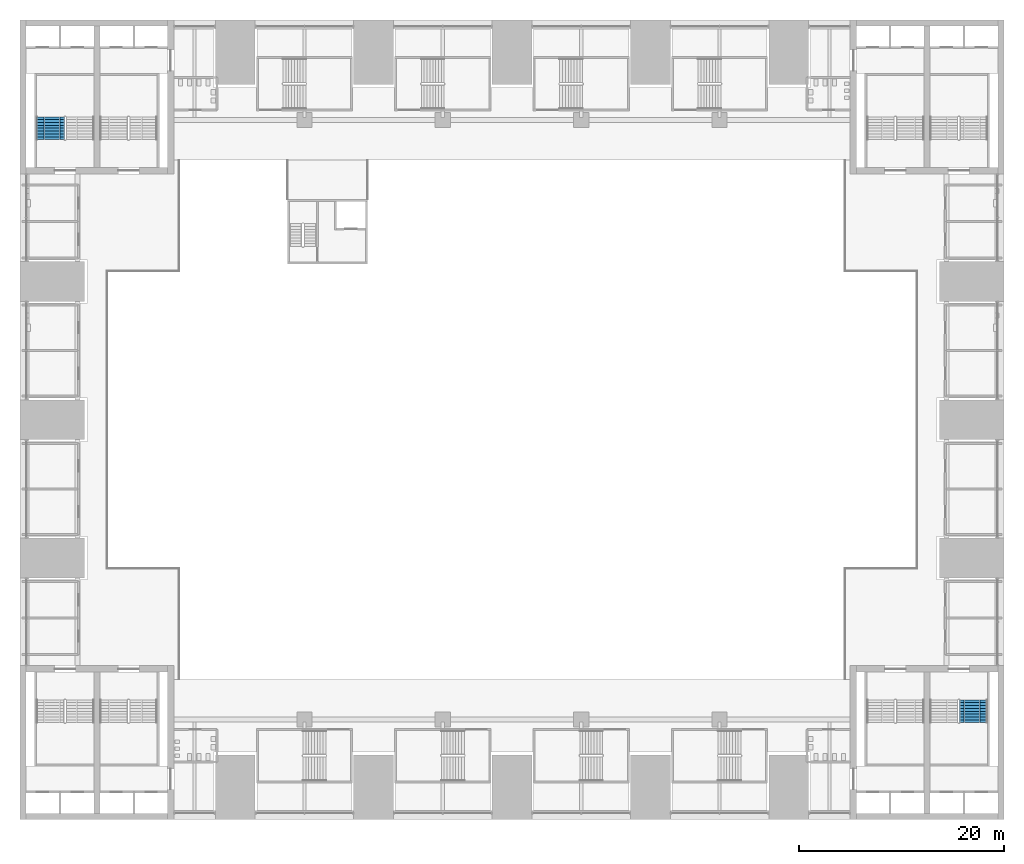
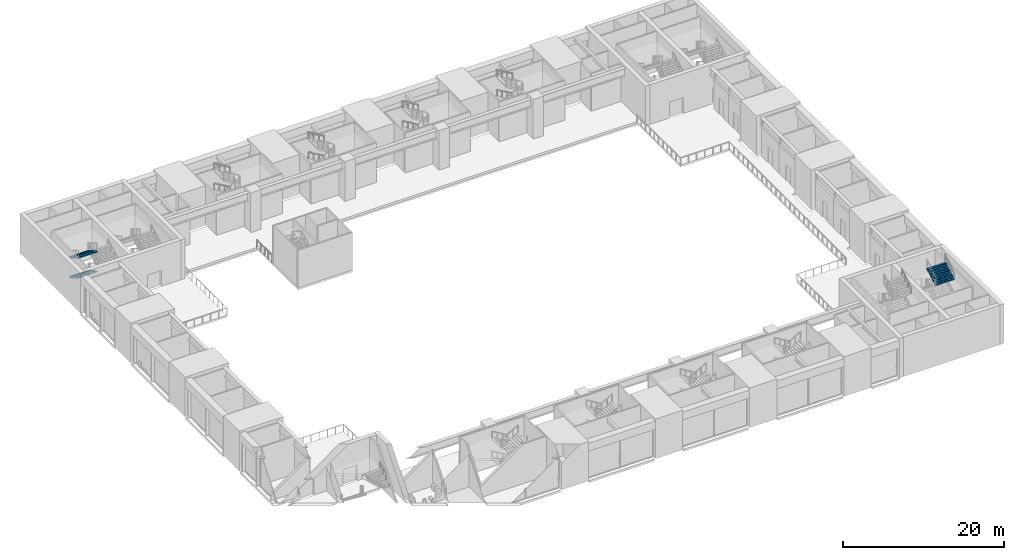
# One storey, part 26 of 41: 3 stair flights, 2 elements without a shape of their own.
"""IFC4 building model written with IfcOpenShell, lengths in metres."""

from ifc_helpers import new_model, si_unit, direction, frame, origin, place, context, subcontext, project, spatial, polyline, outline, extrude, material, type_object, element, aggregate, save


model = new_model("IFC4")

# Units and contexts
model_context = context("Model", 3, precision=1e-05, world=origin(), true_north=direction((0.0, 1.0)))
body_context = subcontext(model_context, "Body", "Model", "MODEL_VIEW")
ifc_project = project(units=[si_unit("LENGTHUNIT", "METRE"), si_unit("AREAUNIT", "SQUARE_METRE"), si_unit("VOLUMEUNIT", "CUBIC_METRE"), si_unit("PLANEANGLEUNIT", "RADIAN"), si_unit("MASSUNIT", "GRAM", prefix="KILO")], contexts=[model_context])

# Site, building, storey
site_placement = place(None, origin())
site = spatial("IfcSite", under=ifc_project, at=site_placement, CompositionType="ELEMENT")
building_placement = place(site_placement, origin())
building = spatial("IfcBuilding", under=site, at=building_placement, Name="Corbelhall Arena Tower", CompositionType="ELEMENT")
storey_placement = place(building_placement, frame((0.0, 0.0, 19.0)))
storey = spatial("IfcBuildingStorey", under=building, at=storey_placement, Name="L02", CompositionType="ELEMENT", Elevation=19.0)

# Stair, stair flights
ifc_material = material(Name="Reinforced concrete C40/50", Category="concrete")
stair_type = type_object("IfcStairType", Name="AR-EXIT-STAIR", PredefinedType="HALF_TURN_STAIR", material=ifc_material)
stair_1_placement = place(storey_placement, origin())
stair_1 = element("IfcStair", 1, at=stair_1_placement, inside=storey, type_object=stair_type, Name="L02 exit stair AS4", PredefinedType="HALF_TURN_STAIR")
stair_flight_type = type_object("IfcStairFlightType", Name="AR-EXIT-FLIGHT", PredefinedType="STRAIGHT", material=ifc_material)
stair_flight_1_placement = place(storey_placement, frame((-45.030029296875, 29.56005859375, 1.5), z_axis=(0.0, 0.0, 1.0), x_axis=(0.0, -1.0, 0.0)))
stair_flight_1 = element("IfcStairFlight", 2, at=stair_flight_1_placement, type_object=stair_flight_type, Name="AS4 flight 2", NumberOfRisers=9, NumberOfTreads=8, PredefinedType="STRAIGHT", RiserHeight=0.166666667, TreadLength=0.28, context=body_context, shape_type="SweptSolid", body=[
    extrude(outline(polyline([(0.0, 0.0), (0.0, 0.166748046875), (0.280029296875, 0.166748046875), (0.280029296875, 0.333251953125), (0.56005859375, 0.333251953125), (0.56005859375, 0.5), (0.840087890625, 0.5), (0.840087890625, 0.666748046875), (1.1201171875, 0.666748046875), (1.1201171875, 0.833251953125), (1.39990234375, 0.833251953125), (1.39990234375, 1.0), (1.679931640625, 1.0), (1.679931640625, 1.166748046875), (1.9599609375, 1.166748046875), (1.9599609375, 1.333251953125), (2.239990234375, 1.333251953125), (2.239990234375, 1.5), (2.239990234375, 1.158935546875), (0.29296875, 0.0), (0.0, 0.0)])), frame((0.0, 1.35986328125, 0.0), z_axis=(0.0, -1.0, 0.0), x_axis=(1.0, 0.0, 0.0)), (0.0, 0.0, 1.0), 0.449951171875),
    extrude(outline(polyline([(0.0, 0.0), (0.0, 0.166748046875), (0.280029296875, 0.166748046875), (0.280029296875, 0.333251953125), (0.56005859375, 0.333251953125), (0.56005859375, 0.5), (0.840087890625, 0.5), (0.840087890625, 0.666748046875), (1.1201171875, 0.666748046875), (1.1201171875, 0.833251953125), (1.39990234375, 0.833251953125), (1.39990234375, 1.0), (1.679931640625, 1.0), (1.679931640625, 1.166748046875), (1.9599609375, 1.166748046875), (1.9599609375, 1.333251953125), (2.239990234375, 1.333251953125), (2.239990234375, 1.5), (2.239990234375, 1.158935546875), (0.29296875, 0.0), (0.0, 0.0)])), frame((0.0, 0.906005859375, 0.0), z_axis=(0.0, -1.0, 0.0), x_axis=(1.0, 0.0, 0.0)), (0.0, 0.0, 1.0), 0.147216796875),
    extrude(outline(polyline([(0.0, 0.0), (0.0, 0.166748046875), (0.280029296875, 0.166748046875), (0.280029296875, 0.333251953125), (0.56005859375, 0.333251953125), (0.56005859375, 0.5), (0.840087890625, 0.5), (0.840087890625, 0.666748046875), (1.1201171875, 0.666748046875), (1.1201171875, 0.833251953125), (1.39990234375, 0.833251953125), (1.39990234375, 1.0), (1.679931640625, 1.0), (1.679931640625, 1.166748046875), (1.9599609375, 1.166748046875), (1.9599609375, 1.333251953125), (2.239990234375, 1.333251953125), (2.239990234375, 1.5), (2.239990234375, 1.158935546875), (0.29296875, 0.0), (0.0, 0.0)])), frame((0.0, 0.754638671875, 0.0), z_axis=(0.0, -1.0, 0.0), x_axis=(1.0, 0.0, 0.0)), (0.0, 0.0, 1.0), 0.147216796875),
    extrude(outline(polyline([(0.0, 0.0), (0.0, 0.166748046875), (0.280029296875, 0.166748046875), (0.280029296875, 0.333251953125), (0.56005859375, 0.333251953125), (0.56005859375, 0.5), (0.840087890625, 0.5), (0.840087890625, 0.666748046875), (1.1201171875, 0.666748046875), (1.1201171875, 0.833251953125), (1.39990234375, 0.833251953125), (1.39990234375, 1.0), (1.679931640625, 1.0), (1.679931640625, 1.166748046875), (1.9599609375, 1.166748046875), (1.9599609375, 1.333251953125), (2.239990234375, 1.333251953125), (2.239990234375, 1.5), (2.239990234375, 1.158935546875), (0.29296875, 0.0), (0.0, 0.0)])), frame((0.0, 0.603271484375, 0.0), z_axis=(0.0, -1.0, 0.0), x_axis=(1.0, 0.0, 0.0)), (0.0, 0.0, 1.0), 0.147216796875),
    extrude(outline(polyline([(0.0, 0.0), (0.0, 0.166748046875), (0.280029296875, 0.166748046875), (0.280029296875, 0.333251953125), (0.56005859375, 0.333251953125), (0.56005859375, 0.5), (0.840087890625, 0.5), (0.840087890625, 0.666748046875), (1.1201171875, 0.666748046875), (1.1201171875, 0.833251953125), (1.39990234375, 0.833251953125), (1.39990234375, 1.0), (1.679931640625, 1.0), (1.679931640625, 1.166748046875), (1.9599609375, 1.166748046875), (1.9599609375, 1.333251953125), (2.239990234375, 1.333251953125), (2.239990234375, 1.5), (2.239990234375, 1.158935546875), (0.29296875, 0.0), (0.0, 0.0)])), frame((0.0, 0.451904296875, 0.0), z_axis=(0.0, -1.0, 0.0), x_axis=(1.0, 0.0, 0.0)), (0.0, 0.0, 1.0), 0.147216796875),
    extrude(outline(polyline([(0.0, 0.0), (0.0, 0.166748046875), (0.280029296875, 0.166748046875), (0.280029296875, 0.333251953125), (0.56005859375, 0.333251953125), (0.56005859375, 0.5), (0.840087890625, 0.5), (0.840087890625, 0.666748046875), (1.1201171875, 0.666748046875), (1.1201171875, 0.833251953125), (1.39990234375, 0.833251953125), (1.39990234375, 1.0), (1.679931640625, 1.0), (1.679931640625, 1.166748046875), (1.9599609375, 1.166748046875), (1.9599609375, 1.333251953125), (2.239990234375, 1.333251953125), (2.239990234375, 1.5), (2.239990234375, 1.158935546875), (0.29296875, 0.0), (0.0, 0.0)])), frame((0.0, 0.30078125, 0.0), z_axis=(0.0, -1.0, 0.0), x_axis=(1.0, 0.0, 0.0)), (0.0, 0.0, 1.0), 0.147216796875),
    extrude(outline(polyline([(0.0, 0.0), (0.0, 0.166748046875), (0.280029296875, 0.166748046875), (0.280029296875, 0.333251953125), (0.56005859375, 0.333251953125), (0.56005859375, 0.5), (0.840087890625, 0.5), (0.840087890625, 0.666748046875), (1.1201171875, 0.666748046875), (1.1201171875, 0.833251953125), (1.39990234375, 0.833251953125), (1.39990234375, 1.0), (1.679931640625, 1.0), (1.679931640625, 1.166748046875), (1.9599609375, 1.166748046875), (1.9599609375, 1.333251953125), (2.239990234375, 1.333251953125), (2.239990234375, 1.5), (2.239990234375, 1.158935546875), (0.29296875, 0.0), (0.0, 0.0)])), frame((0.0, 0.1494140625, 0.0), z_axis=(0.0, -1.0, 0.0), x_axis=(1.0, 0.0, 0.0)), (0.0, 0.0, 1.0), 0.147216796875),
    extrude(outline(polyline([(0.0, 0.0), (0.0, 0.166748046875), (0.280029296875, 0.166748046875), (0.280029296875, 0.333251953125), (0.56005859375, 0.333251953125), (0.56005859375, 0.5), (0.840087890625, 0.5), (0.840087890625, 0.666748046875), (1.1201171875, 0.666748046875), (1.1201171875, 0.833251953125), (1.39990234375, 0.833251953125), (1.39990234375, 1.0), (1.679931640625, 1.0), (1.679931640625, 1.166748046875), (1.9599609375, 1.166748046875), (1.9599609375, 1.333251953125), (2.239990234375, 1.333251953125), (2.239990234375, 1.5), (2.239990234375, 1.158935546875), (0.29296875, 0.0), (0.0, 0.0)])), frame((0.0, -0.001953125, 0.0), z_axis=(0.0, -1.0, 0.0), x_axis=(1.0, 0.0, 0.0)), (0.0, 0.0, 1.0), 0.147216796875),
    extrude(outline(polyline([(0.0, 0.0), (0.0, 0.166748046875), (0.280029296875, 0.166748046875), (0.280029296875, 0.333251953125), (0.56005859375, 0.333251953125), (0.56005859375, 0.5), (0.840087890625, 0.5), (0.840087890625, 0.666748046875), (1.1201171875, 0.666748046875), (1.1201171875, 0.833251953125), (1.39990234375, 0.833251953125), (1.39990234375, 1.0), (1.679931640625, 1.0), (1.679931640625, 1.166748046875), (1.9599609375, 1.166748046875), (1.9599609375, 1.333251953125), (2.239990234375, 1.333251953125), (2.239990234375, 1.5), (2.239990234375, 1.158935546875), (0.29296875, 0.0), (0.0, 0.0)])), frame((0.0, -0.1533203125, 0.0), z_axis=(0.0, -1.0, 0.0), x_axis=(1.0, 0.0, 0.0)), (0.0, 0.0, 1.0), 0.147216796875),
    extrude(outline(polyline([(0.0, 0.0), (0.0, 0.166748046875), (0.280029296875, 0.166748046875), (0.280029296875, 0.333251953125), (0.56005859375, 0.333251953125), (0.56005859375, 0.5), (0.840087890625, 0.5), (0.840087890625, 0.666748046875), (1.1201171875, 0.666748046875), (1.1201171875, 0.833251953125), (1.39990234375, 0.833251953125), (1.39990234375, 1.0), (1.679931640625, 1.0), (1.679931640625, 1.166748046875), (1.9599609375, 1.166748046875), (1.9599609375, 1.333251953125), (2.239990234375, 1.333251953125), (2.239990234375, 1.5), (2.239990234375, 1.158935546875), (0.29296875, 0.0), (0.0, 0.0)])), frame((0.0, -0.3046875, 0.0), z_axis=(0.0, -1.0, 0.0), x_axis=(1.0, 0.0, 0.0)), (0.0, 0.0, 1.0), 0.147216796875),
    extrude(outline(polyline([(0.0, 0.0), (0.0, 0.166748046875), (0.280029296875, 0.166748046875), (0.280029296875, 0.333251953125), (0.56005859375, 0.333251953125), (0.56005859375, 0.5), (0.840087890625, 0.5), (0.840087890625, 0.666748046875), (1.1201171875, 0.666748046875), (1.1201171875, 0.833251953125), (1.39990234375, 0.833251953125), (1.39990234375, 1.0), (1.679931640625, 1.0), (1.679931640625, 1.166748046875), (1.9599609375, 1.166748046875), (1.9599609375, 1.333251953125), (2.239990234375, 1.333251953125), (2.239990234375, 1.5), (2.239990234375, 1.158935546875), (0.29296875, 0.0), (0.0, 0.0)])), frame((0.0, -0.4560546875, 0.0), z_axis=(0.0, -1.0, 0.0), x_axis=(1.0, 0.0, 0.0)), (0.0, 0.0, 1.0), 0.147216796875),
    extrude(outline(polyline([(0.0, 0.0), (0.0, 0.166748046875), (0.280029296875, 0.166748046875), (0.280029296875, 0.333251953125), (0.56005859375, 0.333251953125), (0.56005859375, 0.5), (0.840087890625, 0.5), (0.840087890625, 0.666748046875), (1.1201171875, 0.666748046875), (1.1201171875, 0.833251953125), (1.39990234375, 0.833251953125), (1.39990234375, 1.0), (1.679931640625, 1.0), (1.679931640625, 1.166748046875), (1.9599609375, 1.166748046875), (1.9599609375, 1.333251953125), (2.239990234375, 1.333251953125), (2.239990234375, 1.5), (2.239990234375, 1.158935546875), (0.29296875, 0.0), (0.0, 0.0)])), frame((0.0, -0.607421875, 0.0), z_axis=(0.0, -1.0, 0.0), x_axis=(1.0, 0.0, 0.0)), (0.0, 0.0, 1.0), 0.147216796875),
    extrude(outline(polyline([(0.0, 0.0), (0.0, 0.166748046875), (0.280029296875, 0.166748046875), (0.280029296875, 0.333251953125), (0.56005859375, 0.333251953125), (0.56005859375, 0.5), (0.840087890625, 0.5), (0.840087890625, 0.666748046875), (1.1201171875, 0.666748046875), (1.1201171875, 0.833251953125), (1.39990234375, 0.833251953125), (1.39990234375, 1.0), (1.679931640625, 1.0), (1.679931640625, 1.166748046875), (1.9599609375, 1.166748046875), (1.9599609375, 1.333251953125), (2.239990234375, 1.333251953125), (2.239990234375, 1.5), (2.239990234375, 1.158935546875), (0.29296875, 0.0), (0.0, 0.0)])), frame((0.0, -0.758544921875, 0.0), z_axis=(0.0, -1.0, 0.0), x_axis=(1.0, 0.0, 0.0)), (0.0, 0.0, 1.0), 0.147216796875),
    extrude(outline(polyline([(0.0, 0.0), (0.0, 0.166748046875), (0.280029296875, 0.166748046875), (0.280029296875, 0.333251953125), (0.56005859375, 0.333251953125), (0.56005859375, 0.5), (0.840087890625, 0.5), (0.840087890625, 0.666748046875), (1.1201171875, 0.666748046875), (1.1201171875, 0.833251953125), (1.39990234375, 0.833251953125), (1.39990234375, 1.0), (1.679931640625, 1.0), (1.679931640625, 1.166748046875), (1.9599609375, 1.166748046875), (1.9599609375, 1.333251953125), (2.239990234375, 1.333251953125), (2.239990234375, 1.5), (2.239990234375, 1.158935546875), (0.29296875, 0.0), (0.0, 0.0)])), frame((0.0, -0.909912109375, 0.0), z_axis=(0.0, -1.0, 0.0), x_axis=(1.0, 0.0, 0.0)), (0.0, 0.0, 1.0), 0.449951171875),
])
stair_flight_2_placement = place(storey_placement, frame((-45.030029296875, 29.56005859375, 4.5), z_axis=(0.0, 0.0, 1.0), x_axis=(0.0, -1.0, 0.0)))
stair_flight_2 = element("IfcStairFlight", 3, at=stair_flight_2_placement, type_object=stair_flight_type, Name="AS4 flight 4", NumberOfRisers=9, NumberOfTreads=8, PredefinedType="STRAIGHT", RiserHeight=0.166666667, TreadLength=0.28, context=body_context, shape_type="SweptSolid", body=[
    extrude(outline(polyline([(0.0, 0.0), (0.0, 0.166748046875), (0.280029296875, 0.166748046875), (0.280029296875, 0.333251953125), (0.56005859375, 0.333251953125), (0.56005859375, 0.5), (0.840087890625, 0.5), (0.840087890625, 0.666748046875), (1.1201171875, 0.666748046875), (1.1201171875, 0.833251953125), (1.39990234375, 0.833251953125), (1.39990234375, 1.0), (1.679931640625, 1.0), (1.679931640625, 1.166748046875), (1.9599609375, 1.166748046875), (1.9599609375, 1.333251953125), (2.239990234375, 1.333251953125), (2.239990234375, 1.5), (2.239990234375, 1.158935546875), (0.29296875, 0.0), (0.0, 0.0)])), frame((0.0, 1.35986328125, 0.0), z_axis=(0.0, -1.0, 0.0), x_axis=(1.0, 0.0, 0.0)), (0.0, 0.0, 1.0), 0.449951171875),
    extrude(outline(polyline([(0.0, 0.0), (0.0, 0.166748046875), (0.280029296875, 0.166748046875), (0.280029296875, 0.333251953125), (0.56005859375, 0.333251953125), (0.56005859375, 0.5), (0.840087890625, 0.5), (0.840087890625, 0.666748046875), (1.1201171875, 0.666748046875), (1.1201171875, 0.833251953125), (1.39990234375, 0.833251953125), (1.39990234375, 1.0), (1.679931640625, 1.0), (1.679931640625, 1.166748046875), (1.9599609375, 1.166748046875), (1.9599609375, 1.333251953125), (2.239990234375, 1.333251953125), (2.239990234375, 1.5), (2.239990234375, 1.158935546875), (0.29296875, 0.0), (0.0, 0.0)])), frame((0.0, 0.906005859375, 0.0), z_axis=(0.0, -1.0, 0.0), x_axis=(1.0, 0.0, 0.0)), (0.0, 0.0, 1.0), 0.147216796875),
    extrude(outline(polyline([(0.0, 0.0), (0.0, 0.166748046875), (0.280029296875, 0.166748046875), (0.280029296875, 0.333251953125), (0.56005859375, 0.333251953125), (0.56005859375, 0.5), (0.840087890625, 0.5), (0.840087890625, 0.666748046875), (1.1201171875, 0.666748046875), (1.1201171875, 0.833251953125), (1.39990234375, 0.833251953125), (1.39990234375, 1.0), (1.679931640625, 1.0), (1.679931640625, 1.166748046875), (1.9599609375, 1.166748046875), (1.9599609375, 1.333251953125), (2.239990234375, 1.333251953125), (2.239990234375, 1.5), (2.239990234375, 1.158935546875), (0.29296875, 0.0), (0.0, 0.0)])), frame((0.0, 0.754638671875, 0.0), z_axis=(0.0, -1.0, 0.0), x_axis=(1.0, 0.0, 0.0)), (0.0, 0.0, 1.0), 0.147216796875),
    extrude(outline(polyline([(0.0, 0.0), (0.0, 0.166748046875), (0.280029296875, 0.166748046875), (0.280029296875, 0.333251953125), (0.56005859375, 0.333251953125), (0.56005859375, 0.5), (0.840087890625, 0.5), (0.840087890625, 0.666748046875), (1.1201171875, 0.666748046875), (1.1201171875, 0.833251953125), (1.39990234375, 0.833251953125), (1.39990234375, 1.0), (1.679931640625, 1.0), (1.679931640625, 1.166748046875), (1.9599609375, 1.166748046875), (1.9599609375, 1.333251953125), (2.239990234375, 1.333251953125), (2.239990234375, 1.5), (2.239990234375, 1.158935546875), (0.29296875, 0.0), (0.0, 0.0)])), frame((0.0, 0.603271484375, 0.0), z_axis=(0.0, -1.0, 0.0), x_axis=(1.0, 0.0, 0.0)), (0.0, 0.0, 1.0), 0.147216796875),
    extrude(outline(polyline([(0.0, 0.0), (0.0, 0.166748046875), (0.280029296875, 0.166748046875), (0.280029296875, 0.333251953125), (0.56005859375, 0.333251953125), (0.56005859375, 0.5), (0.840087890625, 0.5), (0.840087890625, 0.666748046875), (1.1201171875, 0.666748046875), (1.1201171875, 0.833251953125), (1.39990234375, 0.833251953125), (1.39990234375, 1.0), (1.679931640625, 1.0), (1.679931640625, 1.166748046875), (1.9599609375, 1.166748046875), (1.9599609375, 1.333251953125), (2.239990234375, 1.333251953125), (2.239990234375, 1.5), (2.239990234375, 1.158935546875), (0.29296875, 0.0), (0.0, 0.0)])), frame((0.0, 0.451904296875, 0.0), z_axis=(0.0, -1.0, 0.0), x_axis=(1.0, 0.0, 0.0)), (0.0, 0.0, 1.0), 0.147216796875),
    extrude(outline(polyline([(0.0, 0.0), (0.0, 0.166748046875), (0.280029296875, 0.166748046875), (0.280029296875, 0.333251953125), (0.56005859375, 0.333251953125), (0.56005859375, 0.5), (0.840087890625, 0.5), (0.840087890625, 0.666748046875), (1.1201171875, 0.666748046875), (1.1201171875, 0.833251953125), (1.39990234375, 0.833251953125), (1.39990234375, 1.0), (1.679931640625, 1.0), (1.679931640625, 1.166748046875), (1.9599609375, 1.166748046875), (1.9599609375, 1.333251953125), (2.239990234375, 1.333251953125), (2.239990234375, 1.5), (2.239990234375, 1.158935546875), (0.29296875, 0.0), (0.0, 0.0)])), frame((0.0, 0.30078125, 0.0), z_axis=(0.0, -1.0, 0.0), x_axis=(1.0, 0.0, 0.0)), (0.0, 0.0, 1.0), 0.147216796875),
    extrude(outline(polyline([(0.0, 0.0), (0.0, 0.166748046875), (0.280029296875, 0.166748046875), (0.280029296875, 0.333251953125), (0.56005859375, 0.333251953125), (0.56005859375, 0.5), (0.840087890625, 0.5), (0.840087890625, 0.666748046875), (1.1201171875, 0.666748046875), (1.1201171875, 0.833251953125), (1.39990234375, 0.833251953125), (1.39990234375, 1.0), (1.679931640625, 1.0), (1.679931640625, 1.166748046875), (1.9599609375, 1.166748046875), (1.9599609375, 1.333251953125), (2.239990234375, 1.333251953125), (2.239990234375, 1.5), (2.239990234375, 1.158935546875), (0.29296875, 0.0), (0.0, 0.0)])), frame((0.0, 0.1494140625, 0.0), z_axis=(0.0, -1.0, 0.0), x_axis=(1.0, 0.0, 0.0)), (0.0, 0.0, 1.0), 0.147216796875),
    extrude(outline(polyline([(0.0, 0.0), (0.0, 0.166748046875), (0.280029296875, 0.166748046875), (0.280029296875, 0.333251953125), (0.56005859375, 0.333251953125), (0.56005859375, 0.5), (0.840087890625, 0.5), (0.840087890625, 0.666748046875), (1.1201171875, 0.666748046875), (1.1201171875, 0.833251953125), (1.39990234375, 0.833251953125), (1.39990234375, 1.0), (1.679931640625, 1.0), (1.679931640625, 1.166748046875), (1.9599609375, 1.166748046875), (1.9599609375, 1.333251953125), (2.239990234375, 1.333251953125), (2.239990234375, 1.5), (2.239990234375, 1.158935546875), (0.29296875, 0.0), (0.0, 0.0)])), frame((0.0, -0.001953125, 0.0), z_axis=(0.0, -1.0, 0.0), x_axis=(1.0, 0.0, 0.0)), (0.0, 0.0, 1.0), 0.147216796875),
    extrude(outline(polyline([(0.0, 0.0), (0.0, 0.166748046875), (0.280029296875, 0.166748046875), (0.280029296875, 0.333251953125), (0.56005859375, 0.333251953125), (0.56005859375, 0.5), (0.840087890625, 0.5), (0.840087890625, 0.666748046875), (1.1201171875, 0.666748046875), (1.1201171875, 0.833251953125), (1.39990234375, 0.833251953125), (1.39990234375, 1.0), (1.679931640625, 1.0), (1.679931640625, 1.166748046875), (1.9599609375, 1.166748046875), (1.9599609375, 1.333251953125), (2.239990234375, 1.333251953125), (2.239990234375, 1.5), (2.239990234375, 1.158935546875), (0.29296875, 0.0), (0.0, 0.0)])), frame((0.0, -0.1533203125, 0.0), z_axis=(0.0, -1.0, 0.0), x_axis=(1.0, 0.0, 0.0)), (0.0, 0.0, 1.0), 0.147216796875),
    extrude(outline(polyline([(0.0, 0.0), (0.0, 0.166748046875), (0.280029296875, 0.166748046875), (0.280029296875, 0.333251953125), (0.56005859375, 0.333251953125), (0.56005859375, 0.5), (0.840087890625, 0.5), (0.840087890625, 0.666748046875), (1.1201171875, 0.666748046875), (1.1201171875, 0.833251953125), (1.39990234375, 0.833251953125), (1.39990234375, 1.0), (1.679931640625, 1.0), (1.679931640625, 1.166748046875), (1.9599609375, 1.166748046875), (1.9599609375, 1.333251953125), (2.239990234375, 1.333251953125), (2.239990234375, 1.5), (2.239990234375, 1.158935546875), (0.29296875, 0.0), (0.0, 0.0)])), frame((0.0, -0.3046875, 0.0), z_axis=(0.0, -1.0, 0.0), x_axis=(1.0, 0.0, 0.0)), (0.0, 0.0, 1.0), 0.147216796875),
    extrude(outline(polyline([(0.0, 0.0), (0.0, 0.166748046875), (0.280029296875, 0.166748046875), (0.280029296875, 0.333251953125), (0.56005859375, 0.333251953125), (0.56005859375, 0.5), (0.840087890625, 0.5), (0.840087890625, 0.666748046875), (1.1201171875, 0.666748046875), (1.1201171875, 0.833251953125), (1.39990234375, 0.833251953125), (1.39990234375, 1.0), (1.679931640625, 1.0), (1.679931640625, 1.166748046875), (1.9599609375, 1.166748046875), (1.9599609375, 1.333251953125), (2.239990234375, 1.333251953125), (2.239990234375, 1.5), (2.239990234375, 1.158935546875), (0.29296875, 0.0), (0.0, 0.0)])), frame((0.0, -0.4560546875, 0.0), z_axis=(0.0, -1.0, 0.0), x_axis=(1.0, 0.0, 0.0)), (0.0, 0.0, 1.0), 0.147216796875),
    extrude(outline(polyline([(0.0, 0.0), (0.0, 0.166748046875), (0.280029296875, 0.166748046875), (0.280029296875, 0.333251953125), (0.56005859375, 0.333251953125), (0.56005859375, 0.5), (0.840087890625, 0.5), (0.840087890625, 0.666748046875), (1.1201171875, 0.666748046875), (1.1201171875, 0.833251953125), (1.39990234375, 0.833251953125), (1.39990234375, 1.0), (1.679931640625, 1.0), (1.679931640625, 1.166748046875), (1.9599609375, 1.166748046875), (1.9599609375, 1.333251953125), (2.239990234375, 1.333251953125), (2.239990234375, 1.5), (2.239990234375, 1.158935546875), (0.29296875, 0.0), (0.0, 0.0)])), frame((0.0, -0.607421875, 0.0), z_axis=(0.0, -1.0, 0.0), x_axis=(1.0, 0.0, 0.0)), (0.0, 0.0, 1.0), 0.147216796875),
    extrude(outline(polyline([(0.0, 0.0), (0.0, 0.166748046875), (0.280029296875, 0.166748046875), (0.280029296875, 0.333251953125), (0.56005859375, 0.333251953125), (0.56005859375, 0.5), (0.840087890625, 0.5), (0.840087890625, 0.666748046875), (1.1201171875, 0.666748046875), (1.1201171875, 0.833251953125), (1.39990234375, 0.833251953125), (1.39990234375, 1.0), (1.679931640625, 1.0), (1.679931640625, 1.166748046875), (1.9599609375, 1.166748046875), (1.9599609375, 1.333251953125), (2.239990234375, 1.333251953125), (2.239990234375, 1.5), (2.239990234375, 1.158935546875), (0.29296875, 0.0), (0.0, 0.0)])), frame((0.0, -0.758544921875, 0.0), z_axis=(0.0, -1.0, 0.0), x_axis=(1.0, 0.0, 0.0)), (0.0, 0.0, 1.0), 0.147216796875),
    extrude(outline(polyline([(0.0, 0.0), (0.0, 0.166748046875), (0.280029296875, 0.166748046875), (0.280029296875, 0.333251953125), (0.56005859375, 0.333251953125), (0.56005859375, 0.5), (0.840087890625, 0.5), (0.840087890625, 0.666748046875), (1.1201171875, 0.666748046875), (1.1201171875, 0.833251953125), (1.39990234375, 0.833251953125), (1.39990234375, 1.0), (1.679931640625, 1.0), (1.679931640625, 1.166748046875), (1.9599609375, 1.166748046875), (1.9599609375, 1.333251953125), (2.239990234375, 1.333251953125), (2.239990234375, 1.5), (2.239990234375, 1.158935546875), (0.29296875, 0.0), (0.0, 0.0)])), frame((0.0, -0.909912109375, 0.0), z_axis=(0.0, -1.0, 0.0), x_axis=(1.0, 0.0, 0.0)), (0.0, 0.0, 1.0), 0.449951171875),
])
aggregate(stair_1, [stair_flight_1, stair_flight_2])

# Stair, stair flight
stair_2_placement = place(storey_placement, origin())
stair_2 = element("IfcStair", 4, at=stair_2_placement, inside=storey, type_object=stair_type, Name="L02 exit stair AS6", PredefinedType="HALF_TURN_STAIR")
stair_flight_3_placement = place(storey_placement, frame((45.030029296875, -29.56005859375, 4.5), z_axis=(0.0, 0.0, 1.0), x_axis=(0.0, 1.0, 0.0)))
stair_flight_3 = element("IfcStairFlight", 5, at=stair_flight_3_placement, type_object=stair_flight_type, Name="AS6 flight 4", NumberOfRisers=9, NumberOfTreads=8, PredefinedType="STRAIGHT", RiserHeight=0.166666667, TreadLength=0.28, context=body_context, shape_type="SweptSolid", body=[
    extrude(outline(polyline([(0.0, 0.0), (0.0, 0.166748046875), (0.280029296875, 0.166748046875), (0.280029296875, 0.333251953125), (0.56005859375, 0.333251953125), (0.56005859375, 0.5), (0.840087890625, 0.5), (0.840087890625, 0.666748046875), (1.1201171875, 0.666748046875), (1.1201171875, 0.833251953125), (1.39990234375, 0.833251953125), (1.39990234375, 1.0), (1.679931640625, 1.0), (1.679931640625, 1.166748046875), (1.9599609375, 1.166748046875), (1.9599609375, 1.333251953125), (2.239990234375, 1.333251953125), (2.239990234375, 1.5), (2.239990234375, 1.158935546875), (0.29296875, 0.0), (0.0, 0.0)])), frame((0.0, 1.35986328125, 0.0), z_axis=(0.0, -1.0, 0.0), x_axis=(1.0, 0.0, 0.0)), (0.0, 0.0, 1.0), 0.449951171875),
    extrude(outline(polyline([(0.0, 0.0), (0.0, 0.166748046875), (0.280029296875, 0.166748046875), (0.280029296875, 0.333251953125), (0.56005859375, 0.333251953125), (0.56005859375, 0.5), (0.840087890625, 0.5), (0.840087890625, 0.666748046875), (1.1201171875, 0.666748046875), (1.1201171875, 0.833251953125), (1.39990234375, 0.833251953125), (1.39990234375, 1.0), (1.679931640625, 1.0), (1.679931640625, 1.166748046875), (1.9599609375, 1.166748046875), (1.9599609375, 1.333251953125), (2.239990234375, 1.333251953125), (2.239990234375, 1.5), (2.239990234375, 1.158935546875), (0.29296875, 0.0), (0.0, 0.0)])), frame((0.0, 0.906005859375, 0.0), z_axis=(0.0, -1.0, 0.0), x_axis=(1.0, 0.0, 0.0)), (0.0, 0.0, 1.0), 0.147216796875),
    extrude(outline(polyline([(0.0, 0.0), (0.0, 0.166748046875), (0.280029296875, 0.166748046875), (0.280029296875, 0.333251953125), (0.56005859375, 0.333251953125), (0.56005859375, 0.5), (0.840087890625, 0.5), (0.840087890625, 0.666748046875), (1.1201171875, 0.666748046875), (1.1201171875, 0.833251953125), (1.39990234375, 0.833251953125), (1.39990234375, 1.0), (1.679931640625, 1.0), (1.679931640625, 1.166748046875), (1.9599609375, 1.166748046875), (1.9599609375, 1.333251953125), (2.239990234375, 1.333251953125), (2.239990234375, 1.5), (2.239990234375, 1.158935546875), (0.29296875, 0.0), (0.0, 0.0)])), frame((0.0, 0.754638671875, 0.0), z_axis=(0.0, -1.0, 0.0), x_axis=(1.0, 0.0, 0.0)), (0.0, 0.0, 1.0), 0.147216796875),
    extrude(outline(polyline([(0.0, 0.0), (0.0, 0.166748046875), (0.280029296875, 0.166748046875), (0.280029296875, 0.333251953125), (0.56005859375, 0.333251953125), (0.56005859375, 0.5), (0.840087890625, 0.5), (0.840087890625, 0.666748046875), (1.1201171875, 0.666748046875), (1.1201171875, 0.833251953125), (1.39990234375, 0.833251953125), (1.39990234375, 1.0), (1.679931640625, 1.0), (1.679931640625, 1.166748046875), (1.9599609375, 1.166748046875), (1.9599609375, 1.333251953125), (2.239990234375, 1.333251953125), (2.239990234375, 1.5), (2.239990234375, 1.158935546875), (0.29296875, 0.0), (0.0, 0.0)])), frame((0.0, 0.603271484375, 0.0), z_axis=(0.0, -1.0, 0.0), x_axis=(1.0, 0.0, 0.0)), (0.0, 0.0, 1.0), 0.147216796875),
    extrude(outline(polyline([(0.0, 0.0), (0.0, 0.166748046875), (0.280029296875, 0.166748046875), (0.280029296875, 0.333251953125), (0.56005859375, 0.333251953125), (0.56005859375, 0.5), (0.840087890625, 0.5), (0.840087890625, 0.666748046875), (1.1201171875, 0.666748046875), (1.1201171875, 0.833251953125), (1.39990234375, 0.833251953125), (1.39990234375, 1.0), (1.679931640625, 1.0), (1.679931640625, 1.166748046875), (1.9599609375, 1.166748046875), (1.9599609375, 1.333251953125), (2.239990234375, 1.333251953125), (2.239990234375, 1.5), (2.239990234375, 1.158935546875), (0.29296875, 0.0), (0.0, 0.0)])), frame((0.0, 0.451904296875, 0.0), z_axis=(0.0, -1.0, 0.0), x_axis=(1.0, 0.0, 0.0)), (0.0, 0.0, 1.0), 0.147216796875),
    extrude(outline(polyline([(0.0, 0.0), (0.0, 0.166748046875), (0.280029296875, 0.166748046875), (0.280029296875, 0.333251953125), (0.56005859375, 0.333251953125), (0.56005859375, 0.5), (0.840087890625, 0.5), (0.840087890625, 0.666748046875), (1.1201171875, 0.666748046875), (1.1201171875, 0.833251953125), (1.39990234375, 0.833251953125), (1.39990234375, 1.0), (1.679931640625, 1.0), (1.679931640625, 1.166748046875), (1.9599609375, 1.166748046875), (1.9599609375, 1.333251953125), (2.239990234375, 1.333251953125), (2.239990234375, 1.5), (2.239990234375, 1.158935546875), (0.29296875, 0.0), (0.0, 0.0)])), frame((0.0, 0.30078125, 0.0), z_axis=(0.0, -1.0, 0.0), x_axis=(1.0, 0.0, 0.0)), (0.0, 0.0, 1.0), 0.147216796875),
    extrude(outline(polyline([(0.0, 0.0), (0.0, 0.166748046875), (0.280029296875, 0.166748046875), (0.280029296875, 0.333251953125), (0.56005859375, 0.333251953125), (0.56005859375, 0.5), (0.840087890625, 0.5), (0.840087890625, 0.666748046875), (1.1201171875, 0.666748046875), (1.1201171875, 0.833251953125), (1.39990234375, 0.833251953125), (1.39990234375, 1.0), (1.679931640625, 1.0), (1.679931640625, 1.166748046875), (1.9599609375, 1.166748046875), (1.9599609375, 1.333251953125), (2.239990234375, 1.333251953125), (2.239990234375, 1.5), (2.239990234375, 1.158935546875), (0.29296875, 0.0), (0.0, 0.0)])), frame((0.0, 0.1494140625, 0.0), z_axis=(0.0, -1.0, 0.0), x_axis=(1.0, 0.0, 0.0)), (0.0, 0.0, 1.0), 0.147216796875),
    extrude(outline(polyline([(0.0, 0.0), (0.0, 0.166748046875), (0.280029296875, 0.166748046875), (0.280029296875, 0.333251953125), (0.56005859375, 0.333251953125), (0.56005859375, 0.5), (0.840087890625, 0.5), (0.840087890625, 0.666748046875), (1.1201171875, 0.666748046875), (1.1201171875, 0.833251953125), (1.39990234375, 0.833251953125), (1.39990234375, 1.0), (1.679931640625, 1.0), (1.679931640625, 1.166748046875), (1.9599609375, 1.166748046875), (1.9599609375, 1.333251953125), (2.239990234375, 1.333251953125), (2.239990234375, 1.5), (2.239990234375, 1.158935546875), (0.29296875, 0.0), (0.0, 0.0)])), frame((0.0, -0.001953125, 0.0), z_axis=(0.0, -1.0, 0.0), x_axis=(1.0, 0.0, 0.0)), (0.0, 0.0, 1.0), 0.147216796875),
    extrude(outline(polyline([(0.0, 0.0), (0.0, 0.166748046875), (0.280029296875, 0.166748046875), (0.280029296875, 0.333251953125), (0.56005859375, 0.333251953125), (0.56005859375, 0.5), (0.840087890625, 0.5), (0.840087890625, 0.666748046875), (1.1201171875, 0.666748046875), (1.1201171875, 0.833251953125), (1.39990234375, 0.833251953125), (1.39990234375, 1.0), (1.679931640625, 1.0), (1.679931640625, 1.166748046875), (1.9599609375, 1.166748046875), (1.9599609375, 1.333251953125), (2.239990234375, 1.333251953125), (2.239990234375, 1.5), (2.239990234375, 1.158935546875), (0.29296875, 0.0), (0.0, 0.0)])), frame((0.0, -0.1533203125, 0.0), z_axis=(0.0, -1.0, 0.0), x_axis=(1.0, 0.0, 0.0)), (0.0, 0.0, 1.0), 0.147216796875),
    extrude(outline(polyline([(0.0, 0.0), (0.0, 0.166748046875), (0.280029296875, 0.166748046875), (0.280029296875, 0.333251953125), (0.56005859375, 0.333251953125), (0.56005859375, 0.5), (0.840087890625, 0.5), (0.840087890625, 0.666748046875), (1.1201171875, 0.666748046875), (1.1201171875, 0.833251953125), (1.39990234375, 0.833251953125), (1.39990234375, 1.0), (1.679931640625, 1.0), (1.679931640625, 1.166748046875), (1.9599609375, 1.166748046875), (1.9599609375, 1.333251953125), (2.239990234375, 1.333251953125), (2.239990234375, 1.5), (2.239990234375, 1.158935546875), (0.29296875, 0.0), (0.0, 0.0)])), frame((0.0, -0.3046875, 0.0), z_axis=(0.0, -1.0, 0.0), x_axis=(1.0, 0.0, 0.0)), (0.0, 0.0, 1.0), 0.147216796875),
    extrude(outline(polyline([(0.0, 0.0), (0.0, 0.166748046875), (0.280029296875, 0.166748046875), (0.280029296875, 0.333251953125), (0.56005859375, 0.333251953125), (0.56005859375, 0.5), (0.840087890625, 0.5), (0.840087890625, 0.666748046875), (1.1201171875, 0.666748046875), (1.1201171875, 0.833251953125), (1.39990234375, 0.833251953125), (1.39990234375, 1.0), (1.679931640625, 1.0), (1.679931640625, 1.166748046875), (1.9599609375, 1.166748046875), (1.9599609375, 1.333251953125), (2.239990234375, 1.333251953125), (2.239990234375, 1.5), (2.239990234375, 1.158935546875), (0.29296875, 0.0), (0.0, 0.0)])), frame((0.0, -0.4560546875, 0.0), z_axis=(0.0, -1.0, 0.0), x_axis=(1.0, 0.0, 0.0)), (0.0, 0.0, 1.0), 0.147216796875),
    extrude(outline(polyline([(0.0, 0.0), (0.0, 0.166748046875), (0.280029296875, 0.166748046875), (0.280029296875, 0.333251953125), (0.56005859375, 0.333251953125), (0.56005859375, 0.5), (0.840087890625, 0.5), (0.840087890625, 0.666748046875), (1.1201171875, 0.666748046875), (1.1201171875, 0.833251953125), (1.39990234375, 0.833251953125), (1.39990234375, 1.0), (1.679931640625, 1.0), (1.679931640625, 1.166748046875), (1.9599609375, 1.166748046875), (1.9599609375, 1.333251953125), (2.239990234375, 1.333251953125), (2.239990234375, 1.5), (2.239990234375, 1.158935546875), (0.29296875, 0.0), (0.0, 0.0)])), frame((0.0, -0.607421875, 0.0), z_axis=(0.0, -1.0, 0.0), x_axis=(1.0, 0.0, 0.0)), (0.0, 0.0, 1.0), 0.147216796875),
    extrude(outline(polyline([(0.0, 0.0), (0.0, 0.166748046875), (0.280029296875, 0.166748046875), (0.280029296875, 0.333251953125), (0.56005859375, 0.333251953125), (0.56005859375, 0.5), (0.840087890625, 0.5), (0.840087890625, 0.666748046875), (1.1201171875, 0.666748046875), (1.1201171875, 0.833251953125), (1.39990234375, 0.833251953125), (1.39990234375, 1.0), (1.679931640625, 1.0), (1.679931640625, 1.166748046875), (1.9599609375, 1.166748046875), (1.9599609375, 1.333251953125), (2.239990234375, 1.333251953125), (2.239990234375, 1.5), (2.239990234375, 1.158935546875), (0.29296875, 0.0), (0.0, 0.0)])), frame((0.0, -0.758544921875, 0.0), z_axis=(0.0, -1.0, 0.0), x_axis=(1.0, 0.0, 0.0)), (0.0, 0.0, 1.0), 0.147216796875),
    extrude(outline(polyline([(0.0, 0.0), (0.0, 0.166748046875), (0.280029296875, 0.166748046875), (0.280029296875, 0.333251953125), (0.56005859375, 0.333251953125), (0.56005859375, 0.5), (0.840087890625, 0.5), (0.840087890625, 0.666748046875), (1.1201171875, 0.666748046875), (1.1201171875, 0.833251953125), (1.39990234375, 0.833251953125), (1.39990234375, 1.0), (1.679931640625, 1.0), (1.679931640625, 1.166748046875), (1.9599609375, 1.166748046875), (1.9599609375, 1.333251953125), (2.239990234375, 1.333251953125), (2.239990234375, 1.5), (2.239990234375, 1.158935546875), (0.29296875, 0.0), (0.0, 0.0)])), frame((0.0, -0.909912109375, 0.0), z_axis=(0.0, -1.0, 0.0), x_axis=(1.0, 0.0, 0.0)), (0.0, 0.0, 1.0), 0.449951171875),
])
aggregate(stair_2, [stair_flight_3])

save(model, "model.ifc")
